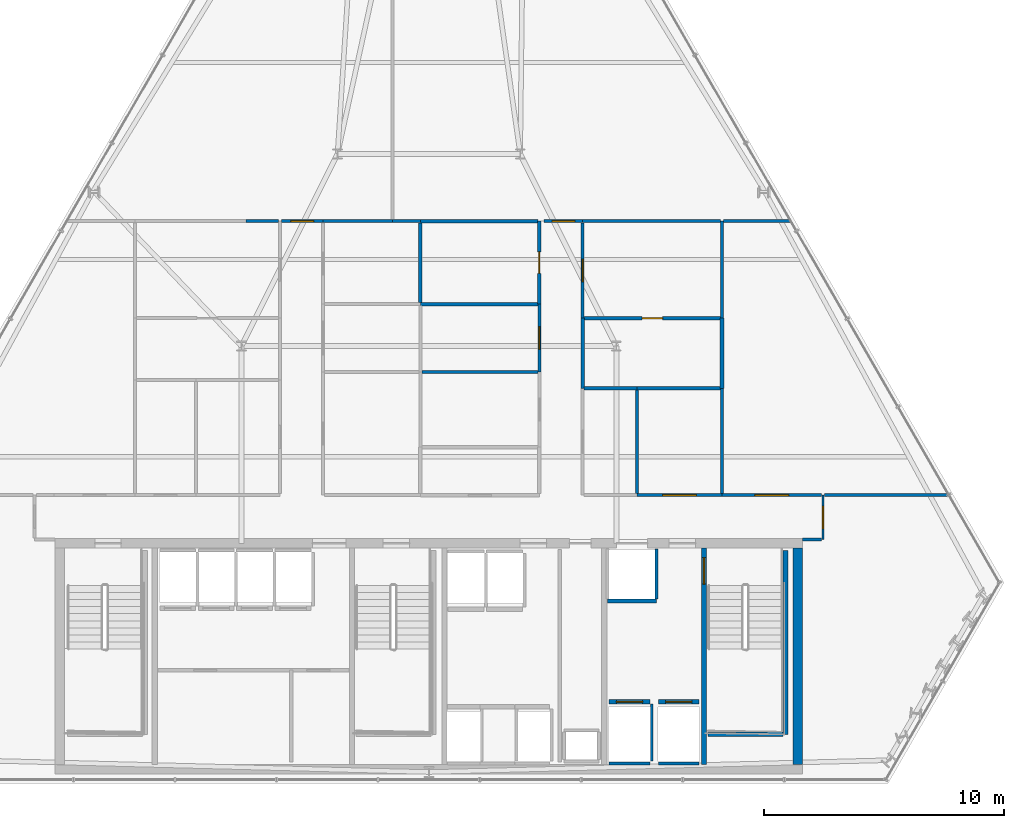
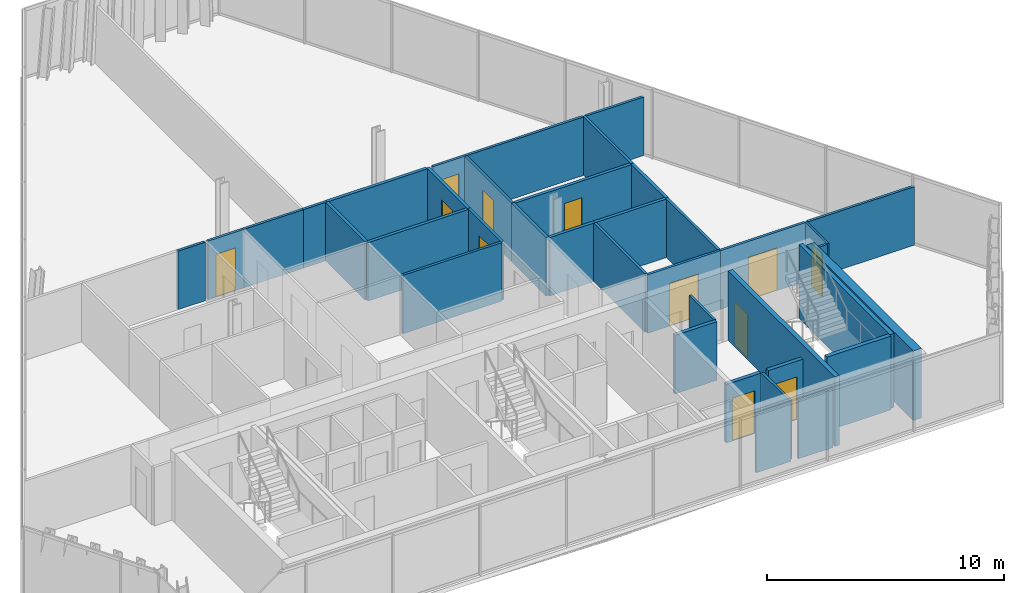
# One storey, part 29 of 33: 38 walls, 12 doors, 12 openings.
"""IFC4 building model written with IfcOpenShell, lengths in metres."""

from ifc_helpers import new_model, si_unit, direction, frame, frame_2d, origin, place, context, subcontext, project, spatial, rectangle, extrude, material, layer, layer_set, type_object, element, fill, save


model = new_model("IFC4")

# Units and contexts
model_context = context("Model", 3, precision=1e-05, world=origin(), true_north=direction((0.0, 1.0)))
body_context = subcontext(model_context, "Body", "Model", "MODEL_VIEW")
ifc_project = project(units=[si_unit("LENGTHUNIT", "METRE"), si_unit("AREAUNIT", "SQUARE_METRE"), si_unit("VOLUMEUNIT", "CUBIC_METRE"), si_unit("PLANEANGLEUNIT", "RADIAN"), si_unit("MASSUNIT", "GRAM", prefix="KILO")], contexts=[model_context])

# Site, building, storey
site_placement = place(None, origin())
site = spatial("IfcSite", under=ifc_project, at=site_placement, CompositionType="ELEMENT")
building_placement = place(site_placement, origin())
building = spatial("IfcBuilding", under=site, at=building_placement, Name="Ndaravel Arena Tower", CompositionType="ELEMENT")
storey_placement = place(building_placement, frame((0.0, 0.0, 187.800048828125)))
storey = spatial("IfcBuildingStorey", under=building, at=storey_placement, Name="L45", CompositionType="ELEMENT", Elevation=187.800048828125)

# Wall, opening, door
ifc_material_1 = material(Name="Concrete C50/60", Category="concrete")
ifc_layer_1 = layer(ifc_material_1, 0.219970703125)
ifc_layer_set_1 = layer_set([ifc_layer_1], Name="Concrete C50/60")
wall_type_1 = type_object("IfcWallType", Name="WALL-CORE-220", PredefinedType="SOLIDWALL", material=ifc_layer_set_1)
wall_1_placement = place(storey_placement, frame((53.449951171875, 5.800048828125, 0.0), z_axis=(0.0, 0.0, 1.0), x_axis=(0.0, 1.0, 0.0)))
wall_1 = element("IfcWall", 1, at=wall_1_placement, inside=storey, type_object=wall_type_1, Name="L45 Core Web Shear Wall 5", PredefinedType="SOLIDWALL", context=body_context, shape_type="SweptSolid", body=[
    extrude(rectangle(XDim=9.0, YDim=0.219970703125, at=frame_2d((4.5, 0.0))), origin(), (0.0, 0.0, 1.0), 3.579833984375),
])
opening_1_placement = place(wall_1_placement, frame((7.5, 0.0, 0.0)))
opening_1 = element("IfcOpeningElement", 2, at=opening_1_placement, cuts=wall_1, Name="Opening FD-01", PredefinedType="OPENING", context=body_context, shape_type="SweptSolid", body=[
    extrude(rectangle(XDim=1.10009765625, YDim=2.199951171875, at=frame_2d((0.550048828125, 1.10009765625))), frame((0.0, 0.10986328125, 0.0), z_axis=(0.0, -1.0, 0.0), x_axis=(1.0, 0.0, 0.0)), (0.0, 0.0, 1.0), 0.219970703125),
])
ifc_material_2 = material(Name="Steel S355", Category="steel")
door_type_1 = type_object("IfcDoorType", Name="DT-01-STAIR-1100", OperationType="SINGLE_SWING_LEFT", PredefinedType="DOOR", material=ifc_material_2)
door_1_placement = place(opening_1_placement, origin())
door_1 = element("IfcDoor", 3, at=door_1_placement, inside=storey, type_object=door_type_1, Name="L45 Firefighting Lobby to ST-3 Door", OperationType="SINGLE_SWING_LEFT", OverallHeight=2.199951171875, OverallWidth=1.10009765625, PredefinedType="DOOR", context=body_context, shape_type="SweptSolid", body=[
    extrude(rectangle(XDim=1.10009765625, YDim=2.199951171875, at=frame_2d((0.550048828125, 1.10009765625))), frame((0.0, 0.02490234375, 0.0), z_axis=(0.0, -1.0, 0.0), x_axis=(1.0, 0.0, 0.0)), (0.0, 0.0, 1.0), 0.050048828125),
])
fill(opening_1, door_1)

# Wall
ifc_material_3 = material(Name="Concrete C50/60", Category="concrete")
ifc_layer_2 = layer(ifc_material_3, 0.39990234375)
ifc_layer_set_2 = layer_set([ifc_layer_2], Name="Concrete C50/60")
wall_type_2 = type_object("IfcWallType", Name="WALL-CORE-400", PredefinedType="SOLIDWALL", material=ifc_layer_set_2)
wall_2_placement = place(storey_placement, frame((57.35009765625, 5.800048828125, 0.0), z_axis=(0.0, 0.0, 1.0), x_axis=(0.0, 1.0, 0.0)))
element("IfcWall", 4, at=wall_2_placement, inside=storey, type_object=wall_type_2, Name="L45 Core East Shear Wall", PredefinedType="SOLIDWALL", context=body_context, shape_type="SweptSolid", body=[
    extrude(rectangle(XDim=9.0, YDim=0.39990234375, at=frame_2d((4.5, 0.0))), origin(), (0.0, 0.0, 1.0), 3.579833984375),
])

# Wall, opening, door
ifc_material_4 = material(Name="Timber", Category="wood")
ifc_layer_3 = layer(ifc_material_4, 0.10009765625)
ifc_layer_set_3 = layer_set([ifc_layer_3], Name="Timber")
wall_type_3 = type_object("IfcWallType", Name="WALL-MOVABLE-100", PredefinedType="MOVABLE", material=ifc_layer_set_3)
wall_3_placement = place(storey_placement, frame((58.39990234375, 17.0, 0.0), z_axis=(0.0, 0.0, 1.0), x_axis=(0.0, -1.0, 0.0)))
wall_3 = element("IfcWall", 5, at=wall_3_placement, inside=storey, type_object=wall_type_3, Name="L45 Interior Partition 001", PredefinedType="MOVABLE", context=body_context, shape_type="SweptSolid", body=[
    extrude(rectangle(XDim=1.85009765625, YDim=0.10009765625, at=frame_2d((0.925048828125, 0.0))), origin(), (0.0, 0.0, 1.0), 3.010498046875),
])
opening_2_placement = place(wall_3_placement, frame((0.449951171875, 0.0, 0.0)))
opening_2 = element("IfcOpeningElement", 6, at=opening_2_placement, cuts=wall_3, Name="Opening ID-01", PredefinedType="OPENING", context=body_context, shape_type="SweptSolid", body=[
    extrude(rectangle(XDim=0.949951171875, YDim=2.199951171875, at=frame_2d((0.47509765625, 1.10009765625))), frame((0.0, 0.050048828125, 0.0), z_axis=(0.0, -1.0, 0.0), x_axis=(1.0, 0.0, 0.0)), (0.0, 0.0, 1.0), 0.10009765625),
])
ifc_material_5 = material(Name="Timber", Category="wood")
door_type_2 = type_object("IfcDoorType", Name="DT-03-OFFICE-950", OperationType="SINGLE_SWING_LEFT", PredefinedType="DOOR", material=ifc_material_5)
door_2_placement = place(opening_2_placement, origin())
door_2 = element("IfcDoor", 7, at=door_2_placement, inside=storey, type_object=door_type_2, Name="L45 Floor Security Control Room Door", OperationType="SINGLE_SWING_LEFT", OverallHeight=2.199951171875, OverallWidth=0.949951171875, PredefinedType="DOOR", context=body_context, shape_type="SweptSolid", body=[
    extrude(rectangle(XDim=0.949951171875, YDim=2.199951171875, at=frame_2d((0.47509765625, 1.10009765625))), frame((0.0, 0.02490234375, 0.0), z_axis=(0.0, -1.0, 0.0), x_axis=(1.0, 0.0, 0.0)), (0.0, 0.0, 1.0), 0.050048828125),
])
fill(opening_2, door_2)

# Wall
ifc_material_6 = material(Name="Gypsum", Category="gypsum")
ifc_layer_4 = layer(ifc_material_6, 0.125)
ifc_layer_set_4 = layer_set([ifc_layer_4], Name="Gypsum")
wall_type_4 = type_object("IfcWallType", Name="WALL-PART-125", PredefinedType="PARTITIONING", material=ifc_layer_set_4)
wall_4_placement = place(storey_placement, frame((58.3349609375, 15.14990234375, 0.0), z_axis=(0.0, 0.0, 1.0), x_axis=(-1.0, 0.0, 0.0)))
element("IfcWall", 8, at=wall_4_placement, inside=storey, type_object=wall_type_4, Name="L45 Interior Partition 002", PredefinedType="PARTITIONING", context=body_context, shape_type="SweptSolid", body=[
    extrude(rectangle(XDim=0.784912109375, YDim=0.125, at=frame_2d((0.392578125, 0.0))), origin(), (0.0, 0.0, 1.0), 3.010498046875),
])

# Wall, opening, door
wall_5_placement = place(storey_placement, frame((35.864990234375, 28.39990234375, 0.0), z_axis=(0.0, 0.0, 1.0), x_axis=(1.0, 0.0, 0.0)))
wall_5 = element("IfcWall", 9, at=wall_5_placement, inside=storey, type_object=wall_type_4, Name="L45 Interior Partition 012", PredefinedType="PARTITIONING", context=body_context, shape_type="SweptSolid", body=[
    extrude(rectangle(XDim=1.735107421875, YDim=0.125, at=frame_2d((0.86767578125, 0.0))), origin(), (0.0, 0.0, 1.0), 3.010498046875),
])
opening_3_placement = place(wall_5_placement, frame((0.392578125, 0.0, 0.0)))
opening_3 = element("IfcOpeningElement", 10, at=opening_3_placement, cuts=wall_5, Name="Opening ID-01", PredefinedType="OPENING", context=body_context, shape_type="SweptSolid", body=[
    extrude(rectangle(XDim=0.949951171875, YDim=2.199951171875, at=frame_2d((0.47509765625, 1.10009765625))), frame((0.0, 0.0625, 0.0), z_axis=(0.0, -1.0, 0.0), x_axis=(1.0, 0.0, 0.0)), (0.0, 0.0, 1.0), 0.125),
])
door_3_placement = place(opening_3_placement, origin())
door_3 = element("IfcDoor", 11, at=door_3_placement, inside=storey, type_object=door_type_2, Name="L45 Crew Support Room 8 Door", OperationType="SINGLE_SWING_LEFT", OverallHeight=2.199951171875, OverallWidth=0.949951171875, PredefinedType="DOOR", context=body_context, shape_type="SweptSolid", body=[
    extrude(rectangle(XDim=0.949951171875, YDim=2.199951171875, at=frame_2d((0.47509765625, 1.10009765625))), frame((0.0, 0.02490234375, 0.0), z_axis=(0.0, -1.0, 0.0), x_axis=(1.0, 0.0, 0.0)), (0.0, 0.0, 1.0), 0.050048828125),
])
fill(opening_3, door_3)

wall_6_placement = place(storey_placement, frame((46.60009765625, 22.1298828125, 0.0), z_axis=(0.0, 0.0, 1.0), x_axis=(0.0, 1.0, 0.0)))
wall_6 = element("IfcWall", 12, at=wall_6_placement, inside=storey, type_object=wall_type_4, Name="L45 Interior Partition 020", PredefinedType="PARTITIONING", context=body_context, shape_type="SweptSolid", body=[
    extrude(rectangle(XDim=2.821533203125, YDim=0.125, at=frame_2d((1.41064453125, 0.0))), origin(), (0.0, 0.0, 1.0), 3.010498046875),
])
opening_4_placement = place(wall_6_placement, frame((0.935791015625, 0.0, 0.0)))
opening_4 = element("IfcOpeningElement", 13, at=opening_4_placement, cuts=wall_6, Name="Opening ID-01", PredefinedType="OPENING", context=body_context, shape_type="SweptSolid", body=[
    extrude(rectangle(XDim=0.949951171875, YDim=2.199951171875, at=frame_2d((0.47509765625, 1.10009765625))), frame((0.0, 0.0625, 0.0), z_axis=(0.0, -1.0, 0.0), x_axis=(1.0, 0.0, 0.0)), (0.0, 0.0, 1.0), 0.125),
])
door_4_placement = place(opening_4_placement, origin())
door_4 = element("IfcDoor", 14, at=door_4_placement, inside=storey, type_object=door_type_2, Name="L45 Tenant Mail & Post Room 6 Door", OperationType="SINGLE_SWING_RIGHT", OverallHeight=2.199951171875, OverallWidth=0.949951171875, PredefinedType="DOOR", context=body_context, shape_type="SweptSolid", body=[
    extrude(rectangle(XDim=0.949951171875, YDim=2.199951171875, at=frame_2d((0.47509765625, 1.10009765625))), frame((0.0, 0.02490234375, 0.0), z_axis=(0.0, -1.0, 0.0), x_axis=(1.0, 0.0, 0.0)), (0.0, 0.0, 1.0), 0.050048828125),
])
fill(opening_4, door_4)

wall_7_placement = place(storey_placement, frame((46.800048828125, 28.39990234375, 0.0), z_axis=(0.0, 0.0, 1.0), x_axis=(1.0, 0.0, 0.0)))
wall_7 = element("IfcWall", 15, at=wall_7_placement, inside=storey, type_object=wall_type_4, Name="L45 Interior Partition 022", PredefinedType="PARTITIONING", context=body_context, shape_type="SweptSolid", body=[
    extrude(rectangle(XDim=1.599853515625, YDim=0.125, at=frame_2d((0.7998046875, 0.0))), origin(), (0.0, 0.0, 1.0), 3.010498046875),
])
opening_5_placement = place(wall_7_placement, frame((0.324951171875, 0.0, 0.0)))
opening_5 = element("IfcOpeningElement", 16, at=opening_5_placement, cuts=wall_7, Name="Opening ID-01", PredefinedType="OPENING", context=body_context, shape_type="SweptSolid", body=[
    extrude(rectangle(XDim=0.949951171875, YDim=2.199951171875, at=frame_2d((0.47509765625, 1.10009765625))), frame((0.0, 0.0625, 0.0), z_axis=(0.0, -1.0, 0.0), x_axis=(1.0, 0.0, 0.0)), (0.0, 0.0, 1.0), 0.125),
])
door_5_placement = place(opening_5_placement, origin())
door_5 = element("IfcDoor", 17, at=door_5_placement, inside=storey, type_object=door_type_2, Name="L45 Executive Boardroom 9 Door", OperationType="SINGLE_SWING_RIGHT", OverallHeight=2.199951171875, OverallWidth=0.949951171875, PredefinedType="DOOR", context=body_context, shape_type="SweptSolid", body=[
    extrude(rectangle(XDim=0.949951171875, YDim=2.199951171875, at=frame_2d((0.47509765625, 1.10009765625))), frame((0.0, 0.02490234375, 0.0), z_axis=(0.0, -1.0, 0.0), x_axis=(1.0, 0.0, 0.0)), (0.0, 0.0, 1.0), 0.050048828125),
])
fill(opening_5, door_5)

wall_8_placement = place(storey_placement, frame((48.39990234375, 28.3349609375, 0.0), z_axis=(0.0, 0.0, 1.0), x_axis=(0.0, -1.0, 0.0)))
wall_8 = element("IfcWall", 18, at=wall_8_placement, inside=storey, type_object=wall_type_4, Name="L45 Interior Partition 023", PredefinedType="PARTITIONING", context=body_context, shape_type="SweptSolid", body=[
    extrude(rectangle(XDim=3.96826171875, YDim=0.125, at=frame_2d((1.984130859375, 0.0))), origin(), (0.0, 0.0, 1.0), 3.010498046875),
])
opening_6_placement = place(wall_8_placement, frame((1.509033203125, 0.0, 0.0)))
opening_6 = element("IfcOpeningElement", 19, at=opening_6_placement, cuts=wall_8, Name="Opening ID-01", PredefinedType="OPENING", context=body_context, shape_type="SweptSolid", body=[
    extrude(rectangle(XDim=0.949951171875, YDim=2.199951171875, at=frame_2d((0.47509765625, 1.10009765625))), frame((0.0, 0.0625, 0.0), z_axis=(0.0, -1.0, 0.0), x_axis=(1.0, 0.0, 0.0)), (0.0, 0.0, 1.0), 0.125),
])
door_6_placement = place(opening_6_placement, origin())
door_6 = element("IfcDoor", 20, at=door_6_placement, inside=storey, type_object=door_type_2, Name="L45 Facilities Operations Room 7 Door", OperationType="SINGLE_SWING_RIGHT", OverallHeight=2.199951171875, OverallWidth=0.949951171875, PredefinedType="DOOR", context=body_context, shape_type="SweptSolid", body=[
    extrude(rectangle(XDim=0.949951171875, YDim=2.199951171875, at=frame_2d((0.47509765625, 1.10009765625))), frame((0.0, 0.02490234375, 0.0), z_axis=(0.0, -1.0, 0.0), x_axis=(1.0, 0.0, 0.0)), (0.0, 0.0, 1.0), 0.050048828125),
])
fill(opening_6, door_6)

wall_9_placement = place(storey_placement, frame((50.662109375, 17.0, 0.0), z_axis=(0.0, 0.0, 1.0), x_axis=(1.0, 0.0, 0.0)))
wall_9 = element("IfcWall", 21, at=wall_9_placement, inside=storey, type_object=wall_type_4, Name="L45 Interior Partition 027", PredefinedType="PARTITIONING", context=body_context, shape_type="SweptSolid", body=[
    extrude(rectangle(XDim=3.537841796875, YDim=0.125, at=frame_2d((1.76904296875, 0.0))), origin(), (0.0, 0.0, 1.0), 3.010498046875),
])
opening_7_placement = place(wall_9_placement, frame((1.069091796875, 0.0, 0.0)))
opening_7 = element("IfcOpeningElement", 22, at=opening_7_placement, cuts=wall_9, Name="Opening ID-02", PredefinedType="OPENING", context=body_context, shape_type="SweptSolid", body=[
    extrude(rectangle(XDim=1.39990234375, YDim=2.199951171875, at=frame_2d((0.699951171875, 1.10009765625))), frame((0.0, 0.0625, 0.0), z_axis=(0.0, -1.0, 0.0), x_axis=(1.0, 0.0, 0.0)), (0.0, 0.0, 1.0), 0.125),
])
ifc_material_7 = material(Name="Timber", Category="wood")
door_type_3 = type_object("IfcDoorType", Name="DT-04-SUITE-1400", OperationType="DOUBLE_DOOR_SINGLE_SWING", PredefinedType="DOOR", material=ifc_material_7)
door_7_placement = place(opening_7_placement, origin())
door_7 = element("IfcDoor", 23, at=door_7_placement, inside=storey, type_object=door_type_3, Name="L45 Client Conference Room 2 Door", OperationType="SINGLE_SWING_RIGHT", OverallHeight=2.199951171875, OverallWidth=1.39990234375, PredefinedType="DOOR", context=body_context, shape_type="SweptSolid", body=[
    extrude(rectangle(XDim=1.39990234375, YDim=2.199951171875, at=frame_2d((0.699951171875, 1.10009765625))), frame((0.0, 0.02490234375, 0.0), z_axis=(0.0, -1.0, 0.0), x_axis=(1.0, 0.0, 0.0)), (0.0, 0.0, 1.0), 0.050048828125),
])
fill(opening_7, door_7)

wall_10_placement = place(storey_placement, frame((54.199951171875, 17.0, 0.0), z_axis=(0.0, 0.0, 1.0), x_axis=(1.0, 0.0, 0.0)))
wall_10 = element("IfcWall", 24, at=wall_10_placement, inside=storey, type_object=wall_type_4, Name="L45 Interior Partition 028", PredefinedType="PARTITIONING", context=body_context, shape_type="SweptSolid", body=[
    extrude(rectangle(XDim=4.135009765625, YDim=0.125, at=frame_2d((2.0673828125, 0.0))), origin(), (0.0, 0.0, 1.0), 3.010498046875),
])
opening_8_placement = place(wall_10_placement, frame((1.367431640625, 0.0, 0.0)))
opening_8 = element("IfcOpeningElement", 25, at=opening_8_placement, cuts=wall_10, Name="Opening ID-02", PredefinedType="OPENING", context=body_context, shape_type="SweptSolid", body=[
    extrude(rectangle(XDim=1.39990234375, YDim=2.199951171875, at=frame_2d((0.699951171875, 1.10009765625))), frame((0.0, 0.0625, 0.0), z_axis=(0.0, -1.0, 0.0), x_axis=(1.0, 0.0, 0.0)), (0.0, 0.0, 1.0), 0.125),
])
door_8_placement = place(opening_8_placement, origin())
door_8 = element("IfcDoor", 26, at=door_8_placement, inside=storey, type_object=door_type_3, Name="L45 Executive Boardroom 5 Door", OperationType="SINGLE_SWING_RIGHT", OverallHeight=2.199951171875, OverallWidth=1.39990234375, PredefinedType="DOOR", context=body_context, shape_type="SweptSolid", body=[
    extrude(rectangle(XDim=1.39990234375, YDim=2.199951171875, at=frame_2d((0.699951171875, 1.10009765625))), frame((0.0, 0.02490234375, 0.0), z_axis=(0.0, -1.0, 0.0), x_axis=(1.0, 0.0, 0.0)), (0.0, 0.0, 1.0), 0.050048828125),
])
fill(opening_8, door_8)

# Walls
wall_11_placement = place(storey_placement, frame((58.465087890625, 17.0, 0.0), z_axis=(0.0, 0.0, 1.0), x_axis=(1.0, 0.0, 0.0)))
element("IfcWall", 27, at=wall_11_placement, inside=storey, type_object=wall_type_4, Name="L45 Interior Partition 030", PredefinedType="PARTITIONING", context=body_context, shape_type="SweptSolid", body=[
    extrude(rectangle(XDim=5.180908203125, YDim=0.125, at=frame_2d((2.59033203125, 0.0))), origin(), (0.0, 0.0, 1.0), 3.010498046875),
])
wall_12_placement = place(storey_placement, frame((50.662109375, 21.381103515625, 0.0), z_axis=(0.0, 0.0, 1.0), x_axis=(0.0, -1.0, 0.0)))
element("IfcWall", 28, at=wall_12_placement, inside=storey, type_object=wall_type_4, Name="L45 Interior Partition 034", PredefinedType="PARTITIONING", context=body_context, shape_type="SweptSolid", body=[
    extrude(rectangle(XDim=4.316162109375, YDim=0.125, at=frame_2d((2.158203125, 0.0))), origin(), (0.0, 0.0, 1.0), 3.010498046875),
])
wall_13_placement = place(storey_placement, frame((54.199951171875, 21.446044921875, 0.0), z_axis=(0.0, 0.0, 1.0), x_axis=(0.0, -1.0, 0.0)))
element("IfcWall", 29, at=wall_13_placement, inside=storey, type_object=wall_type_4, Name="L45 Interior Partition 035", PredefinedType="PARTITIONING", context=body_context, shape_type="SweptSolid", body=[
    extrude(rectangle(XDim=4.381103515625, YDim=0.125, at=frame_2d((2.1904296875, 0.0))), origin(), (0.0, 0.0, 1.0), 3.010498046875),
])
wall_14_placement = place(storey_placement, frame((41.715087890625, 22.1298828125, 0.0), z_axis=(0.0, 0.0, 1.0), x_axis=(1.0, 0.0, 0.0)))
element("IfcWall", 30, at=wall_14_placement, inside=storey, type_object=wall_type_4, Name="L45 Interior Partition 043", PredefinedType="PARTITIONING", context=body_context, shape_type="SweptSolid", body=[
    extrude(rectangle(XDim=4.81982421875, YDim=0.125, at=frame_2d((2.409912109375, 0.0))), origin(), (0.0, 0.0, 1.0), 3.010498046875),
])
wall_15_placement = place(storey_placement, frame((54.199951171875, 24.36669921875, 0.0), z_axis=(0.0, 0.0, 1.0), x_axis=(0.0, 1.0, 0.0)))
element("IfcWall", 31, at=wall_15_placement, inside=storey, type_object=wall_type_4, Name="L45 Interior Partition 048", PredefinedType="PARTITIONING", context=body_context, shape_type="SweptSolid", body=[
    extrude(rectangle(XDim=4.033203125, YDim=0.125, at=frame_2d((2.0166015625, 0.0))), origin(), (0.0, 0.0, 1.0), 3.010498046875),
])
wall_16_placement = place(storey_placement, frame((54.264892578125, 28.39990234375, 0.0), z_axis=(0.0, 0.0, 1.0), x_axis=(1.0, 0.0, 0.0)))
element("IfcWall", 32, at=wall_16_placement, inside=storey, type_object=wall_type_4, Name="L45 Interior Partition 049", PredefinedType="PARTITIONING", context=body_context, shape_type="SweptSolid", body=[
    extrude(rectangle(XDim=2.79931640625, YDim=0.125, at=frame_2d((1.399658203125, 0.0))), origin(), (0.0, 0.0, 1.0), 3.010498046875),
])
wall_17_placement = place(storey_placement, frame((34.39990234375, 28.39990234375, 0.0), z_axis=(0.0, 0.0, 1.0), x_axis=(1.0, 0.0, 0.0)))
element("IfcWall", 33, at=wall_17_placement, inside=storey, type_object=wall_type_4, Name="L45 Interior Partition 056", PredefinedType="PARTITIONING", context=body_context, shape_type="SweptSolid", body=[
    extrude(rectangle(XDim=1.335205078125, YDim=0.125, at=frame_2d((0.66748046875, 0.0))), origin(), (0.0, 0.0, 1.0), 3.010498046875),
])
wall_18_placement = place(storey_placement, frame((48.39990234375, 28.39990234375, 0.0), z_axis=(0.0, 0.0, 1.0), x_axis=(1.0, 0.0, 0.0)))
element("IfcWall", 34, at=wall_18_placement, inside=storey, type_object=wall_type_4, Name="L45 Interior Partition 057", PredefinedType="PARTITIONING", context=body_context, shape_type="SweptSolid", body=[
    extrude(rectangle(XDim=5.735107421875, YDim=0.125, at=frame_2d((2.86767578125, 0.0))), origin(), (0.0, 0.0, 1.0), 3.010498046875),
])
wall_19_placement = place(storey_placement, frame((37.60009765625, 28.39990234375, 0.0), z_axis=(0.0, 0.0, 1.0), x_axis=(1.0, 0.0, 0.0)))
element("IfcWall", 35, at=wall_19_placement, inside=storey, type_object=wall_type_4, Name="L45 Interior Partition 058", PredefinedType="PARTITIONING", context=body_context, shape_type="SweptSolid", body=[
    extrude(rectangle(XDim=2.8935546875, YDim=0.125, at=frame_2d((1.44677734375, 0.0))), origin(), (0.0, 0.0, 1.0), 3.010498046875),
])
wall_20_placement = place(storey_placement, frame((40.49365234375, 28.39990234375, 0.0), z_axis=(0.0, 0.0, 1.0), x_axis=(1.0, 0.0, 0.0)))
element("IfcWall", 36, at=wall_20_placement, inside=storey, type_object=wall_type_4, Name="L45 Interior Partition 059", PredefinedType="PARTITIONING", context=body_context, shape_type="SweptSolid", body=[
    extrude(rectangle(XDim=1.15625, YDim=0.125, at=frame_2d((0.578125, 0.0))), origin(), (0.0, 0.0, 1.0), 3.010498046875),
])
ifc_material_8 = material(Name="Concrete C40/50", Category="concrete")
ifc_layer_5 = layer(ifc_material_8, 0.1201171875)
ifc_layer_set_5 = layer_set([ifc_layer_5], Name="Concrete C40/50")
wall_type_5 = type_object("IfcWallType", Name="WALL-SHAFT-120", PredefinedType="SOLIDWALL", material=ifc_layer_set_5)
wall_21_placement = place(storey_placement, frame((49.5048828125, 5.840087890625, 0.0), z_axis=(0.0, 0.0, 1.0), x_axis=(1.0, 0.0, 0.0)))
element("IfcWall", 37, at=wall_21_placement, inside=storey, type_object=wall_type_5, Name="L45 FFL-1 Shaft Rear Wall", PredefinedType="SOLIDWALL", context=body_context, shape_type="SweptSolid", body=[
    extrude(rectangle(XDim=1.690185546875, YDim=0.1201171875, at=frame_2d((0.84521484375, 0.0))), origin(), (0.0, 0.0, 1.0), 3.010498046875),
])
wall_22_placement = place(storey_placement, frame((51.27490234375, 5.929931640625, 0.0), z_axis=(0.0, 0.0, 1.0), x_axis=(0.0, 1.0, 0.0)))
element("IfcWall", 38, at=wall_22_placement, inside=storey, type_object=wall_type_5, Name="L45 FFL-1 Shaft Side R Wall", PredefinedType="SOLIDWALL", context=body_context, shape_type="SweptSolid", body=[
    extrude(rectangle(XDim=2.380126953125, YDim=0.1201171875, at=frame_2d((1.18994140625, 0.0))), origin(), (0.0, 0.0, 1.0), 3.010498046875),
])
wall_23_placement = place(storey_placement, frame((51.554931640625, 5.840087890625, 0.0), z_axis=(0.0, 0.0, 1.0), x_axis=(1.0, 0.0, 0.0)))
element("IfcWall", 39, at=wall_23_placement, inside=storey, type_object=wall_type_5, Name="L45 FFL-2 Shaft Rear Wall", PredefinedType="SOLIDWALL", context=body_context, shape_type="SweptSolid", body=[
    extrude(rectangle(XDim=1.690185546875, YDim=0.1201171875, at=frame_2d((0.84521484375, 0.0))), origin(), (0.0, 0.0, 1.0), 3.010498046875),
])
wall_24_placement = place(storey_placement, frame((51.47998046875, 12.68994140625, 0.0), z_axis=(0.0, 0.0, 1.0), x_axis=(0.0, 1.0, 0.0)))
element("IfcWall", 40, at=wall_24_placement, inside=storey, type_object=wall_type_5, Name="L45 SVL-1 Shaft E Wall", PredefinedType="SOLIDWALL", context=body_context, shape_type="SweptSolid", body=[
    extrude(rectangle(XDim=2.070068359375, YDim=0.1201171875, at=frame_2d((1.03515625, 0.0))), origin(), (0.0, 0.0, 1.0), 3.010498046875),
])
ifc_material_9 = material(Name="Concrete C40/50", Category="concrete")
ifc_layer_6 = layer(ifc_material_9, 0.199951171875)
ifc_layer_set_6 = layer_set([ifc_layer_6], Name="Concrete C40/50")
wall_type_6 = type_object("IfcWallType", Name="WALL-SHAFT-200", PredefinedType="SOLIDWALL", material=ifc_layer_set_6)
wall_25_placement = place(storey_placement, frame((56.840087890625, 14.699951171875, 0.0), z_axis=(0.0, 0.0, 1.0), x_axis=(0.0, -1.0, 0.0)))
element("IfcWall", 41, at=wall_25_placement, inside=storey, type_object=wall_type_6, Name="L45 ST-3 Structural Shaft Wall Right", PredefinedType="SOLIDWALL", context=body_context, shape_type="SweptSolid", body=[
    extrude(rectangle(XDim=7.64990234375, YDim=0.199951171875, at=frame_2d((3.824951171875, 0.0))), origin(), (0.0, 0.0, 1.0), 3.800048828125),
])
wall_26_placement = place(storey_placement, frame((53.6201171875, 7.050048828125, 0.0), z_axis=(0.0, 0.0, 1.0), x_axis=(1.0, 0.0, 0.0)))
element("IfcWall", 42, at=wall_26_placement, inside=storey, type_object=wall_type_6, Name="L45 ST-3 Structural Shaft Wall Far", PredefinedType="SOLIDWALL", context=body_context, shape_type="SweptSolid", body=[
    extrude(rectangle(XDim=3.114990234375, YDim=0.199951171875, at=frame_2d((1.5576171875, 0.0))), origin(), (0.0, 0.0, 1.0), 3.800048828125),
])

# Wall, opening, door
wall_27_placement = place(storey_placement, frame((49.5048828125, 8.39990234375, 0.0), z_axis=(0.0, 0.0, 1.0), x_axis=(1.0, 0.0, 0.0)))
wall_27 = element("IfcWall", 43, at=wall_27_placement, inside=storey, type_object=wall_type_6, Name="L45 FFL-1 Shaft Landing Wall", PredefinedType="SOLIDWALL", context=body_context, shape_type="SweptSolid", body=[
    extrude(rectangle(XDim=1.690185546875, YDim=0.179931640625, at=frame_2d((0.84521484375, 0.0))), origin(), (0.0, 0.0, 1.0), 3.010498046875),
])
opening_9_placement = place(wall_27_placement, frame((0.294921875, 0.0, 0.0)))
opening_9 = element("IfcOpeningElement", 44, at=opening_9_placement, cuts=wall_27, Name="Opening LD-01", PredefinedType="OPENING", context=body_context, shape_type="SweptSolid", body=[
    extrude(rectangle(XDim=1.10009765625, YDim=2.199951171875, at=frame_2d((0.550048828125, 1.10009765625))), frame((0.0, 0.08984375, 0.0), z_axis=(0.0, -1.0, 0.0), x_axis=(1.0, 0.0, 0.0)), (0.0, 0.0, 1.0), 0.179931640625),
])
ifc_material_10 = material(Name="Steel S355", Category="steel")
door_type_4 = type_object("IfcDoorType", Name="DT-06-LIFT-1100", OperationType="SLIDING_TO_LEFT", PredefinedType="DOOR", material=ifc_material_10)
door_9_placement = place(opening_9_placement, origin())
door_9 = element("IfcDoor", 45, at=door_9_placement, inside=storey, type_object=door_type_4, Name="L45 Lift FFL-1 Sliding Landing Door", OperationType="SLIDING_TO_LEFT", OverallHeight=2.199951171875, OverallWidth=1.10009765625, PredefinedType="DOOR", context=body_context, shape_type="SweptSolid", body=[
    extrude(rectangle(XDim=1.10009765625, YDim=2.199951171875, at=frame_2d((0.550048828125, 1.10009765625))), frame((0.0, 0.02490234375, 0.0), z_axis=(0.0, -1.0, 0.0), x_axis=(1.0, 0.0, 0.0)), (0.0, 0.0, 1.0), 0.050048828125),
])
fill(opening_9, door_9)

wall_28_placement = place(storey_placement, frame((51.554931640625, 8.39990234375, 0.0), z_axis=(0.0, 0.0, 1.0), x_axis=(1.0, 0.0, 0.0)))
wall_28 = element("IfcWall", 46, at=wall_28_placement, inside=storey, type_object=wall_type_6, Name="L45 FFL-2 Shaft Landing Wall", PredefinedType="SOLIDWALL", context=body_context, shape_type="SweptSolid", body=[
    extrude(rectangle(XDim=1.690185546875, YDim=0.179931640625, at=frame_2d((0.84521484375, 0.0))), origin(), (0.0, 0.0, 1.0), 3.010498046875),
])
opening_10_placement = place(wall_28_placement, frame((0.294921875, 0.0, 0.0)))
opening_10 = element("IfcOpeningElement", 47, at=opening_10_placement, cuts=wall_28, Name="Opening LD-01", PredefinedType="OPENING", context=body_context, shape_type="SweptSolid", body=[
    extrude(rectangle(XDim=1.10009765625, YDim=2.199951171875, at=frame_2d((0.550048828125, 1.10009765625))), frame((0.0, 0.08984375, 0.0), z_axis=(0.0, -1.0, 0.0), x_axis=(1.0, 0.0, 0.0)), (0.0, 0.0, 1.0), 0.179931640625),
])
door_10_placement = place(opening_10_placement, origin())
door_10 = element("IfcDoor", 48, at=door_10_placement, inside=storey, type_object=door_type_4, Name="L45 Lift FFL-2 Sliding Landing Door", OperationType="SLIDING_TO_LEFT", OverallHeight=2.199951171875, OverallWidth=1.10009765625, PredefinedType="DOOR", context=body_context, shape_type="SweptSolid", body=[
    extrude(rectangle(XDim=1.10009765625, YDim=2.199951171875, at=frame_2d((0.550048828125, 1.10009765625))), frame((0.0, 0.02490234375, 0.0), z_axis=(0.0, -1.0, 0.0), x_axis=(1.0, 0.0, 0.0)), (0.0, 0.0, 1.0), 0.050048828125),
])
fill(opening_10, door_10)

# Wall
wall_29_placement = place(storey_placement, frame((49.43994140625, 12.594970703125, 0.0), z_axis=(0.0, 0.0, 1.0), x_axis=(1.0, 0.0, 0.0)))
element("IfcWall", 49, at=wall_29_placement, inside=storey, type_object=wall_type_6, Name="L45 SVL-1 Shaft South Wall", PredefinedType="SOLIDWALL", context=body_context, shape_type="SweptSolid", body=[
    extrude(rectangle(XDim=2.0400390625, YDim=0.179931640625, at=frame_2d((1.02001953125, 0.0))), origin(), (0.0, 0.0, 1.0), 3.010498046875),
])

# Wall, opening, door
ifc_material_11 = material(Name="Masonry", Category="masonry")
ifc_layer_7 = layer(ifc_material_11, 0.14990234375)
ifc_layer_set_7 = layer_set([ifc_layer_7], Name="Masonry")
wall_type_7 = type_object("IfcWallType", Name="WALL-WET-150", PredefinedType="PARTITIONING", material=ifc_layer_set_7)
wall_30_placement = place(storey_placement, frame((46.60009765625, 24.951416015625, 0.0), z_axis=(0.0, 0.0, 1.0), x_axis=(0.0, 1.0, 0.0)))
wall_30 = element("IfcWall", 50, at=wall_30_placement, inside=storey, type_object=wall_type_7, Name="L45 Interior Partition 021", PredefinedType="PARTITIONING", context=body_context, shape_type="SweptSolid", body=[
    extrude(rectangle(XDim=3.448486328125, YDim=0.14990234375, at=frame_2d((1.72412109375, 0.0))), origin(), (0.0, 0.0, 1.0), 3.010498046875),
])
opening_11_placement = place(wall_30_placement, frame((1.274169921875, 0.0, 0.0)))
opening_11 = element("IfcOpeningElement", 51, at=opening_11_placement, cuts=wall_30, Name="Opening WD-01", PredefinedType="OPENING", context=body_context, shape_type="SweptSolid", body=[
    extrude(rectangle(XDim=0.89990234375, YDim=2.14990234375, at=frame_2d((0.449951171875, 1.074951171875))), frame((0.0, 0.074951171875, 0.0), z_axis=(0.0, -1.0, 0.0), x_axis=(1.0, 0.0, 0.0)), (0.0, 0.0, 1.0), 0.14990234375),
])
ifc_material_12 = material(Name="Timber", Category="wood")
door_type_5 = type_object("IfcDoorType", Name="DT-05-WC-900", OperationType="SINGLE_SWING_LEFT", PredefinedType="DOOR", material=ifc_material_12)
door_11_placement = place(opening_11_placement, origin())
door_11 = element("IfcDoor", 52, at=door_11_placement, inside=storey, type_object=door_type_5, Name="L45 Female & Accessible Restroom Door", OperationType="SINGLE_SWING_RIGHT", OverallHeight=2.14990234375, OverallWidth=0.89990234375, PredefinedType="DOOR", context=body_context, shape_type="SweptSolid", body=[
    extrude(rectangle(XDim=0.89990234375, YDim=2.14990234375, at=frame_2d((0.449951171875, 1.074951171875))), frame((0.0, 0.02490234375, 0.0), z_axis=(0.0, -1.0, 0.0), x_axis=(1.0, 0.0, 0.0)), (0.0, 0.0, 1.0), 0.050048828125),
])
fill(opening_11, door_11)

# Walls
wall_31_placement = place(storey_placement, frame((48.39990234375, 24.36669921875, 0.0), z_axis=(0.0, 0.0, 1.0), x_axis=(0.0, -1.0, 0.0)))
element("IfcWall", 53, at=wall_31_placement, inside=storey, type_object=wall_type_7, Name="L45 Interior Partition 024", PredefinedType="PARTITIONING", context=body_context, shape_type="SweptSolid", body=[
    extrude(rectangle(XDim=2.920654296875, YDim=0.14990234375, at=frame_2d((1.46044921875, 0.0))), origin(), (0.0, 0.0, 1.0), 3.010498046875),
])
wall_32_placement = place(storey_placement, frame((48.465087890625, 21.446044921875, 0.0), z_axis=(0.0, 0.0, 1.0), x_axis=(1.0, 0.0, 0.0)))
element("IfcWall", 54, at=wall_32_placement, inside=storey, type_object=wall_type_7, Name="L45 Interior Partition 033", PredefinedType="PARTITIONING", context=body_context, shape_type="SweptSolid", body=[
    extrude(rectangle(XDim=2.197021484375, YDim=0.14990234375, at=frame_2d((1.0986328125, 0.0))), origin(), (0.0, 0.0, 1.0), 3.010498046875),
])
wall_33_placement = place(storey_placement, frame((50.662109375, 21.446044921875, 0.0), z_axis=(0.0, 0.0, 1.0), x_axis=(1.0, 0.0, 0.0)))
element("IfcWall", 55, at=wall_33_placement, inside=storey, type_object=wall_type_7, Name="L45 Interior Partition 036", PredefinedType="PARTITIONING", context=body_context, shape_type="SweptSolid", body=[
    extrude(rectangle(XDim=3.472900390625, YDim=0.14990234375, at=frame_2d((1.736328125, 0.0))), origin(), (0.0, 0.0, 1.0), 3.010498046875),
])
wall_34_placement = place(storey_placement, frame((54.199951171875, 21.446044921875, 0.0), z_axis=(0.0, 0.0, 1.0), x_axis=(0.0, 1.0, 0.0)))
element("IfcWall", 56, at=wall_34_placement, inside=storey, type_object=wall_type_7, Name="L45 Interior Partition 047", PredefinedType="PARTITIONING", context=body_context, shape_type="SweptSolid", body=[
    extrude(rectangle(XDim=2.920654296875, YDim=0.14990234375, at=frame_2d((1.46044921875, 0.0))), origin(), (0.0, 0.0, 1.0), 3.010498046875),
])

# Wall, opening, door
wall_35_placement = place(storey_placement, frame((48.465087890625, 24.36669921875, 0.0), z_axis=(0.0, 0.0, 1.0), x_axis=(1.0, 0.0, 0.0)))
wall_35 = element("IfcWall", 57, at=wall_35_placement, inside=storey, type_object=wall_type_7, Name="L45 Interior Partition 050", PredefinedType="PARTITIONING", context=body_context, shape_type="SweptSolid", body=[
    extrude(rectangle(XDim=5.669921875, YDim=0.14990234375, at=frame_2d((2.8349609375, 0.0))), origin(), (0.0, 0.0, 1.0), 3.010498046875),
])
opening_12_placement = place(wall_35_placement, frame((2.409912109375, 0.0, 0.0)))
opening_12 = element("IfcOpeningElement", 58, at=opening_12_placement, cuts=wall_35, Name="Opening ID-03", PredefinedType="OPENING", context=body_context, shape_type="SweptSolid", body=[
    extrude(rectangle(XDim=0.85009765625, YDim=2.14990234375, at=frame_2d((0.425048828125, 1.074951171875))), frame((0.0, 0.074951171875, 0.0), z_axis=(0.0, -1.0, 0.0), x_axis=(1.0, 0.0, 0.0)), (0.0, 0.0, 1.0), 0.14990234375),
])
ifc_material_13 = material(Name="Timber", Category="wood")
door_type_6 = type_object("IfcDoorType", Name="DT-12-SUB-850", OperationType="SINGLE_SWING_LEFT", PredefinedType="DOOR", material=ifc_material_13)
door_12_placement = place(opening_12_placement, origin())
door_12 = element("IfcDoor", 59, at=door_12_placement, inside=storey, type_object=door_type_6, Name="L45 Male Staff & Visitor Restroom Door", OperationType="SINGLE_SWING_LEFT", OverallHeight=2.14990234375, OverallWidth=0.85009765625, PredefinedType="DOOR", context=body_context, shape_type="SweptSolid", body=[
    extrude(rectangle(XDim=0.85009765625, YDim=2.14990234375, at=frame_2d((0.425048828125, 1.074951171875))), frame((0.0, 0.02490234375, 0.0), z_axis=(0.0, -1.0, 0.0), x_axis=(1.0, 0.0, 0.0)), (0.0, 0.0, 1.0), 0.050048828125),
])
fill(opening_12, door_12)

# Walls
wall_36_placement = place(storey_placement, frame((41.64990234375, 24.951416015625, 0.0), z_axis=(0.0, 0.0, 1.0), x_axis=(1.0, 0.0, 0.0)))
element("IfcWall", 60, at=wall_36_placement, inside=storey, type_object=wall_type_7, Name="L45 Interior Partition 054", PredefinedType="PARTITIONING", context=body_context, shape_type="SweptSolid", body=[
    extrude(rectangle(XDim=4.885009765625, YDim=0.14990234375, at=frame_2d((2.4423828125, 0.0))), origin(), (0.0, 0.0, 1.0), 3.010498046875),
])
wall_37_placement = place(storey_placement, frame((41.64990234375, 28.3349609375, 0.0), z_axis=(0.0, 0.0, 1.0), x_axis=(0.0, -1.0, 0.0)))
element("IfcWall", 61, at=wall_37_placement, inside=storey, type_object=wall_type_7, Name="L45 Interior Partition 060", PredefinedType="PARTITIONING", context=body_context, shape_type="SweptSolid", body=[
    extrude(rectangle(XDim=3.318359375, YDim=0.14990234375, at=frame_2d((1.6591796875, 0.0))), origin(), (0.0, 0.0, 1.0), 3.010498046875),
])
wall_38_placement = place(storey_placement, frame((41.64990234375, 28.39990234375, 0.0), z_axis=(0.0, 0.0, 1.0), x_axis=(1.0, 0.0, 0.0)))
element("IfcWall", 62, at=wall_38_placement, inside=storey, type_object=wall_type_7, Name="L45 Interior Partition 061", PredefinedType="PARTITIONING", context=body_context, shape_type="SweptSolid", body=[
    extrude(rectangle(XDim=4.885009765625, YDim=0.14990234375, at=frame_2d((2.4423828125, 0.0))), origin(), (0.0, 0.0, 1.0), 3.010498046875),
])

save(model, "model.ifc")
